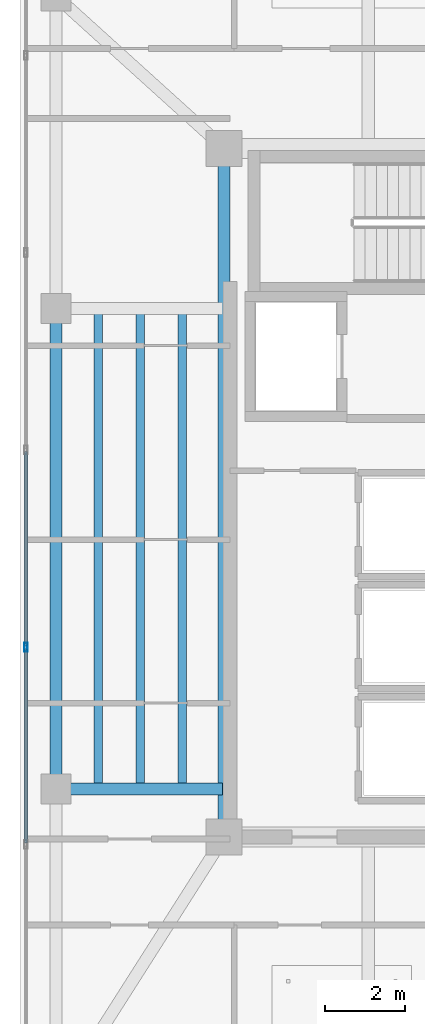
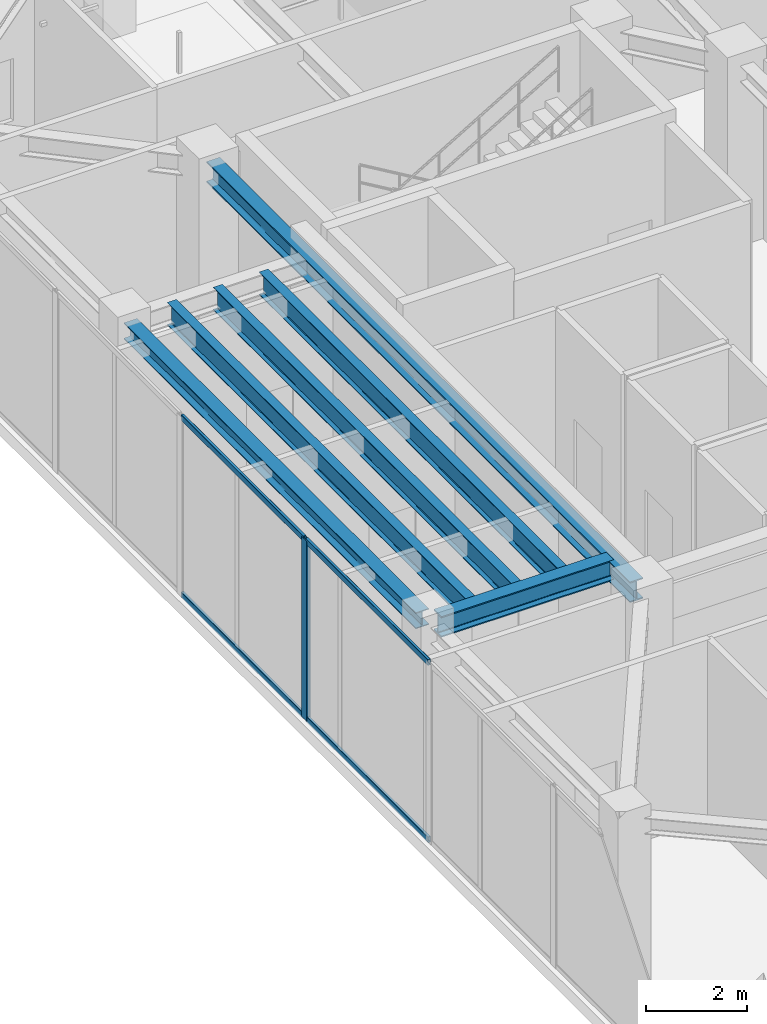
# One storey, part 8 of 34: 6 beams, 5 members, 1 element without a shape of its own.
"""IFC4 building model written with IfcOpenShell, lengths in metres."""

import ifcopenshell
import ifcopenshell.guid

model = None  # the IFC model being written
_history = None  # IfcOwnerHistory: only IFC2X3 demands one
_inside = {}  # id of a spatial element -> (the spatial element, [elements in it])
_under = {}  # id of a project, library or spatial element -> (it, [spatial elements below it])
_declared = {}  # id of a project -> (the project, [libraries it declares])
_typed = {}  # id of a type object -> (the type object, [elements of that type])
_made_of = {}  # id of a material, layer set ... -> (it, [elements and type objects made of it])


def new_model(schema):
    """Start an empty IFC model of exactly this schema.

    Asked for "IFC4X3", IfcOpenShell would pick the latest addendum, in which some entities
    have other attributes; the version numbers below select the first issue.
    IFC2X3 requires an IfcOwnerHistory on every rooted entity: one is made here for all.
    """
    global model, _history
    if schema == "IFC4X3":
        model = ifcopenshell.file(schema_version=(4, 3, 0, 0))
    else:
        model = ifcopenshell.file(schema=schema)
    _inside.clear()
    _under.clear()
    _declared.clear()
    _typed.clear()
    _made_of.clear()
    _history = None
    if model.schema == "IFC2X3":
        org = make("IfcOrganization", Name="unknown")
        user = make(
            "IfcPersonAndOrganization",
            ThePerson=make("IfcPerson", FamilyName="unknown"),
            TheOrganization=org,
        )
        app = make(
            "IfcApplication",
            ApplicationDeveloper=org,
            Version="unknown",
            ApplicationFullName="unknown",
            ApplicationIdentifier="unknown",
        )
        _history = make(
            "IfcOwnerHistory",
            OwningUser=user,
            OwningApplication=app,
            ChangeAction="ADDED",
            CreationDate=0,
        )
    return model


def make(cls, **values):
    """One entity of the class cls with the attributes given. An attribute that is None is left unset."""
    return model.create_entity(
        cls, **{name: value for name, value in values.items() if value is not None}
    )


def rooted(cls, **values):
    """An entity with a GlobalId (a new one), such as an element, a storey or a relation."""
    return make(cls, GlobalId=ifcopenshell.guid.new(), OwnerHistory=_history, **values)


def si_unit(unit_type, name, prefix=None):
    """IfcSIUnit, for example si_unit("LENGTHUNIT", "METRE", prefix="MILLI")."""
    return make("IfcSIUnit", UnitType=unit_type, Prefix=prefix, Name=name)


def assignment(units):
    """IfcUnitAssignment: the units of a project."""
    return None if units is None else make("IfcUnitAssignment", Units=units)


def point(xyz):
    """IfcCartesianPoint."""
    return None if xyz is None else make("IfcCartesianPoint", Coordinates=xyz)


def direction(xyz):
    """IfcDirection."""
    return None if xyz is None else make("IfcDirection", DirectionRatios=xyz)


def frame(location, z_axis=None, x_axis=None):
    """IfcAxis2Placement3D, a coordinate frame: its origin and axes. An axis left out is left unset."""
    return make(
        "IfcAxis2Placement3D",
        Location=point(location),
        Axis=direction(z_axis),
        RefDirection=direction(x_axis),
    )


def frame_2d(location, x_axis=None):
    """IfcAxis2Placement2D, a coordinate frame in the plane: its origin and x axis."""
    return make(
        "IfcAxis2Placement2D", Location=point(location), RefDirection=direction(x_axis)
    )


def origin():
    """The frame at (0, 0, 0) with its axes left unset."""
    return frame((0.0, 0.0, 0.0))


def origin_2d():
    """The frame at (0, 0) in the plane with its x axis left unset."""
    return frame_2d((0.0, 0.0))


def place(relative_to, where):
    """IfcLocalPlacement: puts the frame where relative to a parent placement (None: the world)."""
    return make(
        "IfcLocalPlacement", PlacementRelTo=relative_to, RelativePlacement=where
    )


def context(
    kind, dimensions, precision=None, world=None, true_north=None, identifier=None
):
    """IfcGeometricRepresentationContext, for example the 3D "Model" context."""
    return make(
        "IfcGeometricRepresentationContext",
        ContextIdentifier=identifier,
        ContextType=kind,
        CoordinateSpaceDimension=dimensions,
        Precision=precision,
        WorldCoordinateSystem=world,
        TrueNorth=true_north,
    )


def subcontext(parent, identifier, kind, view, scale=None):
    """IfcGeometricRepresentationSubContext, for example "Body" below "Model"."""
    return make(
        "IfcGeometricRepresentationSubContext",
        ContextIdentifier=identifier,
        ContextType=kind,
        ParentContext=parent,
        TargetScale=scale,
        TargetView=view,
    )


def project(units=None, contexts=None):
    """IfcProject with its units and contexts."""
    return rooted(
        "IfcProject",
        Name="project",
        RepresentationContexts=contexts,
        UnitsInContext=assignment(units),
    )


def spatial(cls, under=None, at=None, **own):
    """A site, building, storey or space (cls), placed at a placement, below another one or the project."""
    s = rooted(cls, ObjectPlacement=at, **own)
    if under is not None:
        _under.setdefault(under.id(), (under, []))[1].append(s)
    return s


def profile(cls, at=None, kind="AREA", **sizes):
    """A parametric profile (cls). Its sizes go by their IFC names, for example OverallWidth=200.0."""
    return make(cls, ProfileType=kind, Position=at, **sizes)


def hollow_rectangle(**sizes):
    """IfcRectangleHollowProfileDef."""
    return profile("IfcRectangleHollowProfileDef", **sizes)


def i_section(**sizes):
    """IfcIShapeProfileDef."""
    return profile("IfcIShapeProfileDef", **sizes)


def extrude(swept, where, along, depth):
    """IfcExtrudedAreaSolid: the profile swept, set in the frame where, extruded along a direction by depth."""
    return make(
        "IfcExtrudedAreaSolid",
        SweptArea=swept,
        Position=where,
        ExtrudedDirection=direction(along),
        Depth=depth,
    )


def shape(context_of_items, identifier, shape_type, items):
    """IfcShapeRepresentation: the items that make up one representation, for example the "Body"."""
    return make(
        "IfcShapeRepresentation",
        ContextOfItems=context_of_items,
        RepresentationIdentifier=identifier,
        RepresentationType=shape_type,
        Items=items,
    )


def material(Name=None, Category=None):
    """IfcMaterial."""
    return make("IfcMaterial", Name=Name, Category=Category)


def layer(
    of_material, thickness, ventilated=None, Name=None, Category=None, Priority=None
):
    """IfcMaterialLayer: one layer of a wall or slab, of a material (None: an air gap)."""
    return make(
        "IfcMaterialLayer",
        Material=of_material,
        LayerThickness=thickness,
        IsVentilated=ventilated,
        Name=Name,
        Category=Category,
        Priority=Priority,
    )


def layer_set(layers, Name=None):
    """IfcMaterialLayerSet."""
    return make("IfcMaterialLayerSet", MaterialLayers=layers, LayerSetName=Name)


def material_profile(
    of_material, cross_section, Name=None, Category=None, Priority=None
):
    """IfcMaterialProfile: a cross section and its material."""
    return make(
        "IfcMaterialProfile",
        Name=Name,
        Material=of_material,
        Profile=cross_section,
        Priority=Priority,
        Category=Category,
    )


def profile_set(profiles, Name=None, composite=None):
    """IfcMaterialProfileSet."""
    return make(
        "IfcMaterialProfileSet",
        Name=Name,
        MaterialProfiles=profiles,
        CompositeProfile=composite,
    )


def made_of(thing, what):
    """Note that an element or type object is made of a material, layer set ...; save() writes the relation."""
    if what is not None:
        _made_of.setdefault(what.id(), (what, []))[1].append(thing)
    return thing


def type_object(cls, material=None, **own):
    """A type object (cls), such as IfcWallType, which elements share."""
    return made_of(rooted(cls, **own), material)


def element(
    cls,
    number,
    at=None,
    inside=None,
    cuts=None,
    type_object=None,
    material=None,
    context=None,
    identifier="Body",
    shape_type=None,
    held_by="IfcProductDefinitionShape",
    body=None,
    shapes=None,
    **own,
):
    """One element of the class cls, such as IfcWall. Its Tag is "e" and its number.

    at: its placement. inside: the storey or other place that contains it. cuts: it is an
    opening in that element (IfcRelVoidsElement). A single representation is given by context,
    identifier, shape_type and body (its items); several are given by shapes. held_by: the class
    of the entity that holds the representations. save() writes the other relations.
    """
    e = rooted(cls, Tag="e%d" % number, ObjectPlacement=at, **own)
    if body is not None:
        shapes = [shape(context, identifier, shape_type, body)]
    if shapes is not None:
        e.Representation = make(held_by, Representations=shapes)
    if inside is not None:
        _inside.setdefault(inside.id(), (inside, []))[1].append(e)
    if cuts is not None:
        rooted(
            "IfcRelVoidsElement", RelatingBuildingElement=cuts, RelatedOpeningElement=e
        )
    if type_object is not None:
        _typed.setdefault(type_object.id(), (type_object, []))[1].append(e)
    return made_of(e, material)


def aggregate(whole, parts):
    """IfcRelAggregates: a whole, such as a stair, and the parts it consists of."""
    return rooted("IfcRelAggregates", RelatingObject=whole, RelatedObjects=parts)


def save(model, path):
    """Write the relations noted so far, then the file.

    IfcRelAggregates (storeys below a building ...), IfcRelContainedInSpatialStructure (elements
    in a storey), IfcRelDefinesByType, IfcRelAssociatesMaterial and IfcRelDeclares: one each for
    every whole, place, type object, material and project.
    """
    for whole, parts in _under.values():
        aggregate(whole, parts)
    for where, things in _inside.values():
        rooted(
            "IfcRelContainedInSpatialStructure",
            RelatedElements=things,
            RelatingStructure=where,
        )
    for kind, things in _typed.values():
        rooted("IfcRelDefinesByType", RelatedObjects=things, RelatingType=kind)
    for what, things in _made_of.values():
        rooted("IfcRelAssociatesMaterial", RelatedObjects=things, RelatingMaterial=what)
    for by, libraries in _declared.values():
        rooted("IfcRelDeclares", RelatingContext=by, RelatedDefinitions=libraries)
    model.write(path)


model = new_model("IFC4")

# Units and contexts
model_context = context("Model", 3, precision=1e-05, world=origin(), true_north=direction((0.0, 1.0)))
body_context = subcontext(model_context, "Body", "Model", "MODEL_VIEW")
ifc_project = project(units=[si_unit("LENGTHUNIT", "METRE"), si_unit("AREAUNIT", "SQUARE_METRE"), si_unit("VOLUMEUNIT", "CUBIC_METRE"), si_unit("PLANEANGLEUNIT", "RADIAN"), si_unit("MASSUNIT", "GRAM", prefix="KILO")], contexts=[model_context])

# Site, building, storey
site_placement = place(None, origin())
site = spatial("IfcSite", under=ifc_project, at=site_placement, CompositionType="ELEMENT")
building_placement = place(site_placement, origin())
building = spatial("IfcBuilding", under=site, at=building_placement, Name="Tarnavaz Court Tower", CompositionType="ELEMENT")
storey_placement = place(building_placement, frame((0.0, 0.0, 231.75)))
storey = spatial("IfcBuildingStorey", under=building, at=storey_placement, Name="L63", CompositionType="ELEMENT", Elevation=231.75)

# Beams
ifc_material_1 = material(Name="Steel S355", Category="steel")
ifc_material_profile_1 = material_profile(ifc_material_1, i_section(OverallWidth=0.300048828125, OverallDepth=0.5, WebThickness=0.014404296875, FlangeThickness=0.028076171875, FilletRadius=0.027099609375, at=origin_2d()), Name="HEB 500")
ifc_profile_set_1 = profile_set([ifc_material_profile_1], Name="Steel S355")
beam_type_1 = type_object("IfcBeamType", Name="BM-G-HEB500", PredefinedType="USERDEFINED", material=ifc_profile_set_1)
beam_1_placement = place(storey_placement, frame((-18.60009765625, -6.97998046875, 4.10009765625), z_axis=(0.0, 1.0, 0.0), x_axis=(-1.0, 0.0, 0.0)))
element("IfcBeam", 1, at=beam_1_placement, inside=storey, type_object=beam_type_1, Name="L63 Beam IN-CW-SO-CW-NO", ObjectType="GIRDER", PredefinedType="USERDEFINED", context=body_context, shape_type="SweptSolid", body=[
    extrude(i_section(OverallWidth=0.300048828125, OverallDepth=0.5, WebThickness=0.014404296875, FlangeThickness=0.028076171875, FilletRadius=0.027099609375, at=origin_2d()), origin(), (0.0, 0.0, 1.0), 16.760009765625),
])
beam_2_placement = place(storey_placement, frame((-18.639892578125, -6.0, 4.10009765625), z_axis=(-1.0, 0.0, 0.0), x_axis=(0.0, -1.0, 0.0)))
element("IfcBeam", 2, at=beam_2_placement, inside=storey, type_object=beam_type_1, Name="L63 Beam RG-13", ObjectType="GIRDER", PredefinedType="USERDEFINED", context=body_context, shape_type="SweptSolid", body=[
    extrude(i_section(OverallWidth=0.300048828125, OverallDepth=0.5, WebThickness=0.014404296875, FlangeThickness=0.028076171875, FilletRadius=0.027099609375, at=origin_2d()), origin(), (0.0, 0.0, 1.0), 3.940185546875),
])
ifc_material_profile_2 = material_profile(ifc_material_1, i_section(OverallWidth=0.2099609375, OverallDepth=0.550048828125, WebThickness=0.010986328125, FlangeThickness=0.01708984375, FilletRadius=0.02392578125, at=origin_2d()), Name="IPE 550")
ifc_profile_set_2 = profile_set([ifc_material_profile_2], Name="Steel S355")
beam_type_2 = type_object("IfcBeamType", Name="BM-J-IPE550", PredefinedType="JOIST", material=ifc_profile_set_2)
for number, where, z_axis, x_axis, name in (
    (3, (-19.64990234375, -5.9599609375, 4.074951171875), (0.0, 1.0, 0.0), (-1.0, 0.0, 0.0), "L63 Beam JW1"),
    (4, (-20.699951171875, -5.9599609375, 4.074951171875), (0.0, 1.0, 0.0), (-1.0, 0.0, 0.0), "L63 Beam JW2"),
    (5, (-21.75, -5.9599609375, 4.074951171875), (0.0, 1.0, 0.0), (-1.0, 0.0, 0.0), "L63 Beam JW3"),
):
    element("IfcBeam", number, at=place(storey_placement, frame(where, z_axis=z_axis, x_axis=x_axis)), inside=storey, type_object=beam_type_2, Name=name, PredefinedType="JOIST", context=body_context, shape_type="SweptSolid", body=[
        extrude(i_section(OverallWidth=0.2099609375, OverallDepth=0.550048828125, WebThickness=0.010986328125, FlangeThickness=0.01708984375, FilletRadius=0.02392578125, at=origin_2d()), origin(), (0.0, 0.0, 1.0), 11.919921875),
    ])
ifc_material_profile_3 = material_profile(ifc_material_1, i_section(OverallWidth=0.300048828125, OverallDepth=0.389892578125, WebThickness=0.010986328125, FlangeThickness=0.01904296875, FilletRadius=0.027099609375, at=origin_2d()), Name="HEA 400")
ifc_profile_set_3 = profile_set([ifc_material_profile_3], Name="Steel S355")
beam_type_3 = type_object("IfcBeamType", Name="BM-SP-HEA400", PredefinedType="BEAM", material=ifc_profile_set_3)
beam_3_placement = place(storey_placement, frame((-22.800048828125, -5.780029296875, 4.155029296875), z_axis=(0.0, 1.0, 0.0), x_axis=(-1.0, 0.0, 0.0)))
element("IfcBeam", 6, at=beam_3_placement, inside=storey, type_object=beam_type_3, Name="L63 Beam PR-PW-2-PW-3", PredefinedType="BEAM", context=body_context, shape_type="SweptSolid", body=[
    extrude(i_section(OverallWidth=0.300048828125, OverallDepth=0.389892578125, WebThickness=0.010986328125, FlangeThickness=0.01904296875, FilletRadius=0.027099609375, at=origin_2d()), origin(), (0.0, 0.0, 1.0), 11.56005859375),
])

# Curtain wall, members
ifc_material_2 = material(Name="Anodised Aluminium 6063-T6 and Solar Low-E Glazing", Category="aluminium")
ifc_layer = layer(ifc_material_2, 0.199951171875)
ifc_layer_set = layer_set([ifc_layer], Name="Anodised Aluminium 6063-T6 and Solar Low-E Glazing")
curtain_wall_type = type_object("IfcCurtainWallType", Name="CW-SYS-05", PredefinedType="NOTDEFINED", material=ifc_layer_set)
curtain_wall_placement = place(storey_placement, origin())
curtain_wall = element("IfcCurtainWall", 7, at=curtain_wall_placement, inside=storey, type_object=curtain_wall_type, Name="L63 Sky-Portal Curtain Wall 2", PredefinedType="NOTDEFINED")
ifc_material_3 = material(Name="Anodised Aluminium 6063-T6", Category="aluminium")
ifc_material_profile_4 = material_profile(ifc_material_3, hollow_rectangle(XDim=0.0849609375, YDim=0.219970703125, WallThickness=0.006103515625, InnerFilletRadius=0.006103515625, OuterFilletRadius=0.011962890625, at=origin_2d()), Name="ALU RHS 220X85X6")
ifc_profile_set_4 = profile_set([ifc_material_profile_4], Name="Anodised Aluminium 6063-T6")
member_type_1 = type_object("IfcMemberType", Name="CW-MUL-220", PredefinedType="MULLION", material=ifc_profile_set_4)
member_1_placement = place(storey_placement, frame((-23.550048828125, -2.46435546875, 0.0), z_axis=(0.0, 0.0, 1.0), x_axis=(-1.0, 0.0, 0.0)))
member_1 = element("IfcMember", 8, at=member_1_placement, type_object=member_type_1, Name="CW mullion 4", PredefinedType="MULLION", context=body_context, shape_type="SweptSolid", body=[
    extrude(hollow_rectangle(XDim=0.0849609375, YDim=0.219970703125, WallThickness=0.006103515625, InnerFilletRadius=0.006103515625, OuterFilletRadius=0.011962890625, at=origin_2d()), origin(), (0.0, 0.0, 1.0), 4.35009765625),
])
ifc_material_profile_5 = material_profile(ifc_material_3, hollow_rectangle(XDim=0.06494140625, YDim=0.139892578125, WallThickness=0.00390625, InnerFilletRadius=0.00390625, OuterFilletRadius=0.008056640625, at=origin_2d()), Name="ALU RHS 140X65X4")
ifc_profile_set_5 = profile_set([ifc_material_profile_5], Name="Anodised Aluminium 6063-T6")
member_type_2 = type_object("IfcMemberType", Name="CW-TRN-140", PredefinedType="USERDEFINED", material=ifc_profile_set_5)
member_2_placement = place(storey_placement, frame((-23.550048828125, -7.350341796875, 0.032470703125), z_axis=(0.0, 1.0, 0.0), x_axis=(-1.0, 0.0, 0.0)))
member_2 = element("IfcMember", 9, at=member_2_placement, type_object=member_type_2, Name="CW transom 3.1", ObjectType="TRANSOM", PredefinedType="USERDEFINED", context=body_context, shape_type="SweptSolid", body=[
    extrude(hollow_rectangle(XDim=0.06494140625, YDim=0.139892578125, WallThickness=0.00390625, InnerFilletRadius=0.00390625, OuterFilletRadius=0.008056640625, at=origin_2d()), origin(), (0.0, 0.0, 1.0), 4.843505859375),
])
member_3_placement = place(storey_placement, frame((-23.550048828125, -7.350341796875, 4.3173828125), z_axis=(0.0, 1.0, 0.0), x_axis=(-1.0, 0.0, 0.0)))
member_3 = element("IfcMember", 10, at=member_3_placement, type_object=member_type_2, Name="CW transom 3.2", ObjectType="TRANSOM", PredefinedType="USERDEFINED", context=body_context, shape_type="SweptSolid", body=[
    extrude(hollow_rectangle(XDim=0.06494140625, YDim=0.139892578125, WallThickness=0.00390625, InnerFilletRadius=0.00390625, OuterFilletRadius=0.008056640625, at=origin_2d()), origin(), (0.0, 0.0, 1.0), 4.843505859375),
])
member_4_placement = place(storey_placement, frame((-23.550048828125, -2.421875, 0.032470703125), z_axis=(0.0, 1.0, 0.0), x_axis=(-1.0, 0.0, 0.0)))
member_4 = element("IfcMember", 11, at=member_4_placement, type_object=member_type_2, Name="CW transom 4.1", ObjectType="TRANSOM", PredefinedType="USERDEFINED", context=body_context, shape_type="SweptSolid", body=[
    extrude(hollow_rectangle(XDim=0.06494140625, YDim=0.139892578125, WallThickness=0.00390625, InnerFilletRadius=0.00390625, OuterFilletRadius=0.008056640625, at=origin_2d()), origin(), (0.0, 0.0, 1.0), 4.84375),
])
member_5_placement = place(storey_placement, frame((-23.550048828125, -2.421875, 4.3173828125), z_axis=(0.0, 1.0, 0.0), x_axis=(-1.0, 0.0, 0.0)))
member_5 = element("IfcMember", 12, at=member_5_placement, type_object=member_type_2, Name="CW transom 4.2", ObjectType="TRANSOM", PredefinedType="USERDEFINED", context=body_context, shape_type="SweptSolid", body=[
    extrude(hollow_rectangle(XDim=0.06494140625, YDim=0.139892578125, WallThickness=0.00390625, InnerFilletRadius=0.00390625, OuterFilletRadius=0.008056640625, at=origin_2d()), origin(), (0.0, 0.0, 1.0), 4.84375),
])
aggregate(curtain_wall, [member_1, member_2, member_3, member_4, member_5])

save(model, "model.ifc")
